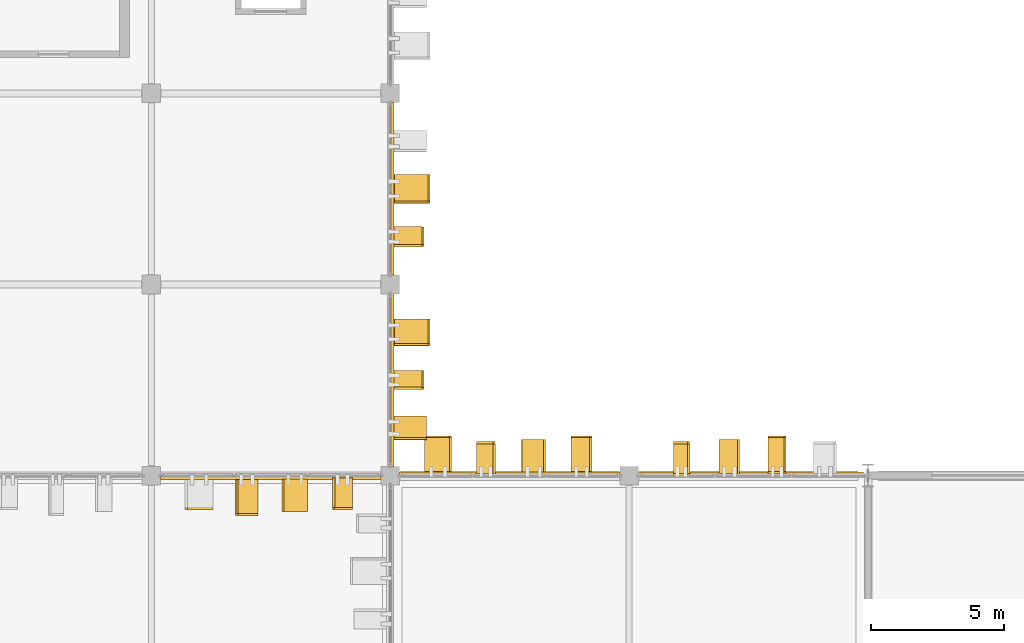
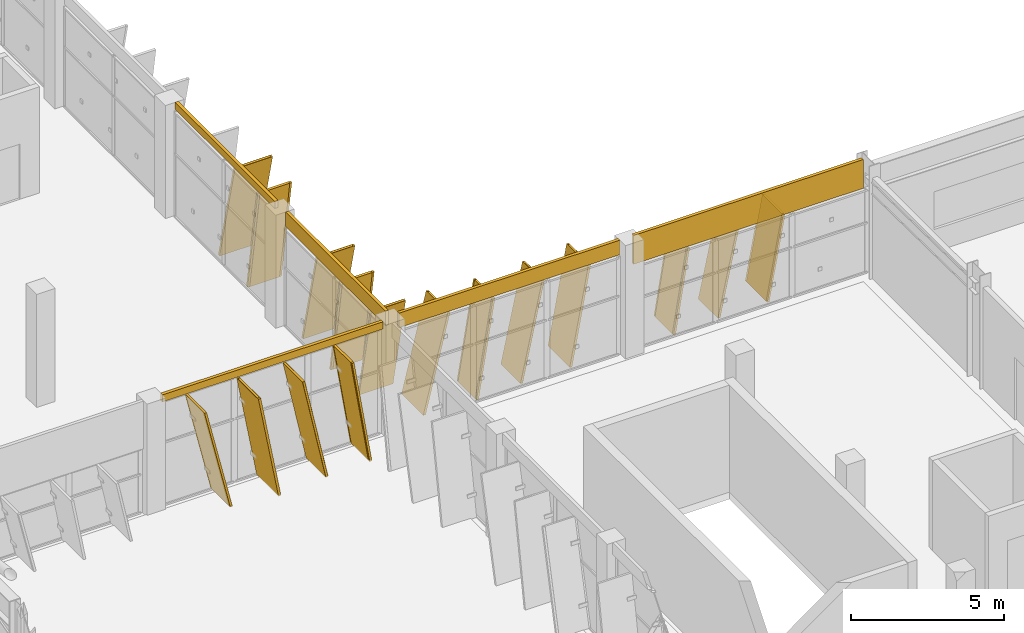
# One storey, part 134 of 151: 20 coverings, 16 shading devices.
"""IFC4 building model written with IfcOpenShell, lengths in metres."""

from ifc_helpers import new_model, si_unit, direction, frame, origin, origin_2d, place, context, subcontext, project, spatial, rectangle, extrude, material, layer, layer_set, material_profile, profile_set, type_object, element, save


model = new_model("IFC4")

# Units and contexts
model_context = context("Model", 3, precision=1e-05, world=origin(), true_north=direction((0.0, 1.0)))
body_context = subcontext(model_context, "Body", "Model", "MODEL_VIEW")
ifc_project = project(units=[si_unit("LENGTHUNIT", "METRE"), si_unit("AREAUNIT", "SQUARE_METRE"), si_unit("VOLUMEUNIT", "CUBIC_METRE"), si_unit("PLANEANGLEUNIT", "RADIAN"), si_unit("MASSUNIT", "GRAM", prefix="KILO")], contexts=[model_context])

# Site, building, storey
site_placement = place(None, origin())
site = spatial("IfcSite", under=ifc_project, at=site_placement, CompositionType="ELEMENT")
building_placement = place(site_placement, origin())
building = spatial("IfcBuilding", under=site, at=building_placement, Name="Celestram Park Convention Centre", CompositionType="ELEMENT")
storey_placement = place(building_placement, frame((0.0, 0.0, 10.800048828125)))
storey = spatial("IfcBuildingStorey", under=building, at=storey_placement, Name="L02", CompositionType="ELEMENT", Elevation=10.800048828125)

# Coverings
ifc_material_1 = material(Name="Anodised Bronze Aluminium Spandrel Cladding", Category="aluminium")
ifc_layer = layer(ifc_material_1, 0.050048828125)
ifc_layer_set = layer_set([ifc_layer], Name="Anodised Bronze Aluminium Spandrel Cladding")
covering_type_1 = type_object("IfcCoveringType", Name="ARC-COV-CLD060", PredefinedType="CLADDING", material=ifc_layer_set)
covering_1_placement = place(storey_placement, frame((148.5, 36.080078125, 3.923828125), z_axis=(0.0, 0.0, 1.0), x_axis=(1.0, 0.0, 0.0)))
element("IfcCovering", 1, at=covering_1_placement, inside=storey, type_object=covering_type_1, Name="Bronze spandrel cladding CL-L02-144", PredefinedType="CLADDING", context=body_context, shape_type="SweptSolid", body=[
    extrude(rectangle(XDim=8.303955078125, YDim=0.1201171875, at=origin_2d()), origin(), (0.0, 0.0, 1.0), 0.575927734375),
])
covering_2_placement = place(storey_placement, frame((157.5, 36.080078125, 3.35595703125), z_axis=(0.0, 0.0, 1.0), x_axis=(1.0, 0.0, 0.0)))
element("IfcCovering", 2, at=covering_2_placement, inside=storey, type_object=covering_type_1, Name="Bronze spandrel cladding CL-L02-145", PredefinedType="CLADDING", context=body_context, shape_type="SweptSolid", body=[
    extrude(rectangle(XDim=8.64501953125, YDim=0.1201171875, at=origin_2d()), origin(), (0.0, 0.0, 1.0), 1.14404296875),
])
covering_3_placement = place(storey_placement, frame((144.080078125, 46.800048828125, 4.2197265625), z_axis=(0.0, 0.0, 1.0), x_axis=(0.0, -1.0, 0.0)))
element("IfcCovering", 3, at=covering_3_placement, inside=storey, type_object=covering_type_1, Name="Bronze spandrel cladding CL-L02-191", PredefinedType="CLADDING", context=body_context, shape_type="SweptSolid", body=[
    extrude(rectangle(XDim=6.50390625, YDim=0.1201171875, at=origin_2d()), origin(), (0.0, 0.0, 1.0), 0.280029296875),
])
covering_4_placement = place(storey_placement, frame((144.080078125, 39.60009765625, 3.923828125), z_axis=(0.0, 0.0, 1.0), x_axis=(0.0, -1.0, 0.0)))
element("IfcCovering", 4, at=covering_4_placement, inside=storey, type_object=covering_type_1, Name="Bronze spandrel cladding CL-L02-192", PredefinedType="CLADDING", context=body_context, shape_type="SweptSolid", body=[
    extrude(rectangle(XDim=6.50390625, YDim=0.1201171875, at=origin_2d()), origin(), (0.0, 0.0, 1.0), 0.575927734375),
])
covering_5_placement = place(storey_placement, frame((139.5, 35.919921875, 4.2197265625), z_axis=(0.0, 0.0, 1.0), x_axis=(-1.0, 0.0, 0.0)))
element("IfcCovering", 5, at=covering_5_placement, inside=storey, type_object=covering_type_1, Name="Bronze spandrel cladding CL-L02-193", PredefinedType="CLADDING", context=body_context, shape_type="SweptSolid", body=[
    extrude(rectangle(XDim=8.303955078125, YDim=0.1201171875, at=origin_2d()), origin(), (0.0, 0.0, 1.0), 0.280029296875),
])
ifc_material_2 = material(Name="Timber-Toned Anodised Aluminium Alloy 6063-T6", Category="wood")
ifc_material_profile_1 = material_profile(ifc_material_2, rectangle(XDim=1.1201171875, YDim=0.090087890625, at=origin_2d()), Name="REED1120X90")
ifc_profile_set_1 = profile_set([ifc_material_profile_1], Name="Timber-Toned Anodised Aluminium Alloy 6063-T6")
covering_type_2 = type_object("IfcCoveringType", Name="ARC-COV-FIN1120", PredefinedType="CLADDING", material=ifc_profile_set_1)
covering_6_placement = place(storey_placement, frame((147.288818359375, 36.639892578125, 0.030029296875), z_axis=(0.159873029239, 0.0, 0.987137586419), x_axis=(0.0, 1.0, 0.0)))
element("IfcCovering", 6, at=covering_6_placement, inside=storey, type_object=covering_type_2, Name="Leaning timber-toned reed fin RFN-L02-0453", PredefinedType="CLADDING", context=body_context, shape_type="SweptSolid", body=[
    extrude(rectangle(XDim=1.1201171875, YDim=0.090087890625, at=origin_2d()), origin(), (0.0, 0.0, 1.0), 3.89404296875),
])
covering_7_placement = place(storey_placement, frame((154.70458984375, 36.639892578125, 0.0263671875), z_axis=(0.159873983247, 0.0, 0.987137431911), x_axis=(0.0, 1.0, 0.0)))
element("IfcCovering", 7, at=covering_7_placement, inside=storey, type_object=covering_type_2, Name="Leaning timber-toned reed fin RFN-L02-0456", PredefinedType="CLADDING", context=body_context, shape_type="SweptSolid", body=[
    extrude(rectangle(XDim=1.1201171875, YDim=0.090087890625, at=origin_2d()), origin(), (0.0, 0.0, 1.0), 3.325927734375),
])
covering_8_placement = place(storey_placement, frame((144.639892578125, 45.3349609375, 0.03173828125), z_axis=(0.0, -0.159880890304, 0.987136313239), x_axis=(1.0, 0.0, 0.0)))
element("IfcCovering", 8, at=covering_8_placement, inside=storey, type_object=covering_type_2, Name="Leaning timber-toned reed fin RFN-L02-0601", PredefinedType="CLADDING", context=body_context, shape_type="SweptSolid", body=[
    extrude(rectangle(XDim=1.1201171875, YDim=0.090087890625, at=origin_2d()), origin(), (0.0, 0.0, 1.0), 4.190185546875),
])
covering_9_placement = place(storey_placement, frame((144.639892578125, 39.911376953125, 0.030029296875), z_axis=(0.0, -0.159873029239, 0.987137586419), x_axis=(1.0, 0.0, 0.0)))
element("IfcCovering", 9, at=covering_9_placement, inside=storey, type_object=covering_type_2, Name="Leaning timber-toned reed fin RFN-L02-0603", PredefinedType="CLADDING", context=body_context, shape_type="SweptSolid", body=[
    extrude(rectangle(XDim=1.1201171875, YDim=0.090087890625, at=origin_2d()), origin(), (0.0, 0.0, 1.0), 3.89404296875),
])
covering_10_placement = place(storey_placement, frame((142.534912109375, 35.360107421875, 0.03173828125), z_axis=(-0.159880890304, 0.0, 0.987136313239), x_axis=(0.0, -1.0, 0.0)))
element("IfcCovering", 10, at=covering_10_placement, inside=storey, type_object=covering_type_2, Name="Leaning timber-toned reed fin RFN-L02-0605", PredefinedType="CLADDING", context=body_context, shape_type="SweptSolid", body=[
    extrude(rectangle(XDim=1.1201171875, YDim=0.090087890625, at=origin_2d()), origin(), (0.0, 0.0, 1.0), 4.190185546875),
])
ifc_material_profile_2 = material_profile(ifc_material_2, rectangle(XDim=1.280029296875, YDim=0.090087890625, at=origin_2d()), Name="REED1280X90")
ifc_profile_set_2 = profile_set([ifc_material_profile_2], Name="Timber-Toned Anodised Aluminium Alloy 6063-T6")
covering_type_3 = type_object("IfcCoveringType", Name="ARC-COV-FIN1280", PredefinedType="CLADDING", material=ifc_profile_set_2)
covering_11_placement = place(storey_placement, frame((148.991943359375, 36.719970703125, 0.04833984375), z_axis=(0.209601879855, 0.0, 0.977786813145), x_axis=(0.0, 1.0, 0.0)))
element("IfcCovering", 11, at=covering_11_placement, inside=storey, type_object=covering_type_3, Name="Leaning timber-toned reed fin RFN-L02-0454", PredefinedType="CLADDING", context=body_context, shape_type="SweptSolid", body=[
    extrude(rectangle(XDim=1.280029296875, YDim=0.090087890625, at=origin_2d()), origin(), (0.0, 0.0, 1.0), 3.893798828125),
])
covering_12_placement = place(storey_placement, frame((156.421875, 36.719970703125, 0.041748046875), z_axis=(0.209564178578, 0.0, 0.977794894166), x_axis=(0.0, 1.0, 0.0)))
element("IfcCovering", 12, at=covering_12_placement, inside=storey, type_object=covering_type_3, Name="Leaning timber-toned reed fin RFN-L02-0457", PredefinedType="CLADDING", context=body_context, shape_type="SweptSolid", body=[
    extrude(rectangle(XDim=1.280029296875, YDim=0.090087890625, at=origin_2d()), origin(), (0.0, 0.0, 1.0), 3.326171875),
])
covering_13_placement = place(storey_placement, frame((144.719970703125, 38.2080078125, 0.04833984375), z_axis=(0.0, -0.209601879855, 0.977786813145), x_axis=(1.0, 0.0, 0.0)))
element("IfcCovering", 13, at=covering_13_placement, inside=storey, type_object=covering_type_3, Name="Leaning timber-toned reed fin RFN-L02-0604", PredefinedType="CLADDING", context=body_context, shape_type="SweptSolid", body=[
    extrude(rectangle(XDim=1.280029296875, YDim=0.090087890625, at=origin_2d()), origin(), (0.0, 0.0, 1.0), 3.893798828125),
])
covering_14_placement = place(storey_placement, frame((140.839111328125, 35.280029296875, 0.051513671875), z_axis=(-0.209644484255, 0.0, 0.977777679343), x_axis=(0.0, -1.0, 0.0)))
element("IfcCovering", 14, at=covering_14_placement, inside=storey, type_object=covering_type_3, Name="Leaning timber-toned reed fin RFN-L02-0606", PredefinedType="CLADDING", context=body_context, shape_type="SweptSolid", body=[
    extrude(rectangle(XDim=1.280029296875, YDim=0.090087890625, at=origin_2d()), origin(), (0.0, 0.0, 1.0), 4.18994140625),
])
ifc_material_profile_3 = material_profile(ifc_material_2, rectangle(XDim=1.419921875, YDim=0.090087890625, at=origin_2d()), Name="REED1420X90")
ifc_profile_set_3 = profile_set([ifc_material_profile_3], Name="Timber-Toned Anodised Aluminium Alloy 6063-T6")
covering_type_4 = type_object("IfcCoveringType", Name="ARC-COV-FIN1420", PredefinedType="CLADDING", material=ifc_profile_set_3)
for number, where, z_axis, x_axis, name in (
    (15, (145.335693359375, 36.7900390625, 0.06103515625), (0.238491540505, 0.0, 0.971144574771), (0.0, 1.0, 0.0), "Leaning timber-toned reed fin RFN-L02-0452"),
    (16, (150.848388671875, 36.7900390625, 0.036865234375), (0.180562402366, 0.0, 0.983563530664), (0.0, 1.0, 0.0), "Leaning timber-toned reed fin RFN-L02-0455"),
):
    element("IfcCovering", number, at=place(storey_placement, frame(where, z_axis=z_axis, x_axis=x_axis)), inside=storey, type_object=covering_type_4, Name=name, PredefinedType="CLADDING", context=body_context, shape_type="SweptSolid", body=[
        extrude(rectangle(XDim=1.419921875, YDim=0.090087890625, at=origin_2d()), origin(), (0.0, 0.0, 1.0), 3.89404296875),
    ])
covering_15_placement = place(storey_placement, frame((158.270263671875, 36.7900390625, 0.0322265625), z_axis=(0.18049356641, 0.0, 0.983576165065), x_axis=(0.0, 1.0, 0.0)))
element("IfcCovering", 17, at=covering_15_placement, inside=storey, type_object=covering_type_4, Name="Leaning timber-toned reed fin RFN-L02-0458", PredefinedType="CLADDING", context=body_context, shape_type="SweptSolid", body=[
    extrude(rectangle(XDim=1.419921875, YDim=0.090087890625, at=origin_2d()), origin(), (0.0, 0.0, 1.0), 3.326171875),
])
covering_16_placement = place(storey_placement, frame((144.7900390625, 47.2998046875, 0.0654296875), z_axis=(0.0, -0.238544016547, 0.971131686317), x_axis=(1.0, 0.0, 0.0)))
element("IfcCovering", 18, at=covering_16_placement, inside=storey, type_object=covering_type_4, Name="Leaning timber-toned reed fin RFN-L02-0600", PredefinedType="CLADDING", context=body_context, shape_type="SweptSolid", body=[
    extrude(rectangle(XDim=1.419921875, YDim=0.090087890625, at=origin_2d()), origin(), (0.0, 0.0, 1.0), 4.18994140625),
])
covering_17_placement = place(storey_placement, frame((144.7900390625, 41.864501953125, 0.06103515625), z_axis=(0.0, -0.23855066814, 0.971130052429), x_axis=(1.0, 0.0, 0.0)))
element("IfcCovering", 19, at=covering_17_placement, inside=storey, type_object=covering_type_4, Name="Leaning timber-toned reed fin RFN-L02-0602", PredefinedType="CLADDING", context=body_context, shape_type="SweptSolid", body=[
    extrude(rectangle(XDim=1.419921875, YDim=0.090087890625, at=origin_2d()), origin(), (0.0, 0.0, 1.0), 3.89404296875),
])
covering_18_placement = place(storey_placement, frame((138.978271484375, 35.2099609375, 0.039306640625), z_axis=(-0.180561798763, 0.0, 0.983563641473), x_axis=(0.0, -1.0, 0.0)))
element("IfcCovering", 20, at=covering_18_placement, inside=storey, type_object=covering_type_4, Name="Leaning timber-toned reed fin RFN-L02-0607", PredefinedType="CLADDING", context=body_context, shape_type="SweptSolid", body=[
    extrude(rectangle(XDim=1.419921875, YDim=0.090087890625, at=origin_2d()), origin(), (0.0, 0.0, 1.0), 4.190185546875),
])

# Shading devices
ifc_material_3 = material(Name="Anodised Bronze Aluminium Alloy 6063-T6", Category="aluminium")
ifc_material_profile_4 = material_profile(ifc_material_3, rectangle(XDim=1.280029296875, YDim=0.080078125, at=origin_2d()), Name="FIN1280X80")
ifc_profile_set_4 = profile_set([ifc_material_profile_4], Name="Anodised Bronze Aluminium Alloy 6063-T6")
shading_device_type = type_object("IfcShadingDeviceType", Name="ARC-FIN-BZ1280", PredefinedType="USERDEFINED", material=ifc_profile_set_4)
for number, where, z_axis, x_axis, name in (
    (21, (145.335693359375, 36.7900390625, 0.06103515625), (0.238491540505, 0.0, 0.971144574771), (0.0, 1.0, 0.0), "Expressive solar fin FN-L02-0452"),
    (22, (147.288818359375, 36.639892578125, 0.030029296875), (0.159873029239, 0.0, 0.987137586419), (0.0, 1.0, 0.0), "Expressive solar fin FN-L02-0453"),
):
    element("IfcShadingDevice", number, at=place(storey_placement, frame(where, z_axis=z_axis, x_axis=x_axis)), inside=storey, type_object=shading_device_type, Name=name, ObjectType="SOLAR_FIN", PredefinedType="USERDEFINED", context=body_context, shape_type="SweptSolid", body=[
        extrude(rectangle(XDim=1.280029296875, YDim=0.080078125, at=origin_2d()), origin(), (0.0, 0.0, 1.0), 3.89404296875),
    ])
shading_device_1_placement = place(storey_placement, frame((148.991943359375, 36.719970703125, 0.04833984375), z_axis=(0.209601879855, 0.0, 0.977786813145), x_axis=(0.0, 1.0, 0.0)))
element("IfcShadingDevice", 23, at=shading_device_1_placement, inside=storey, type_object=shading_device_type, Name="Expressive solar fin FN-L02-0454", ObjectType="SOLAR_FIN", PredefinedType="USERDEFINED", context=body_context, shape_type="SweptSolid", body=[
    extrude(rectangle(XDim=1.280029296875, YDim=0.080078125, at=origin_2d()), origin(), (0.0, 0.0, 1.0), 3.893798828125),
])
shading_device_2_placement = place(storey_placement, frame((150.848388671875, 36.7900390625, 0.036865234375), z_axis=(0.180562402366, 0.0, 0.983563530664), x_axis=(0.0, 1.0, 0.0)))
element("IfcShadingDevice", 24, at=shading_device_2_placement, inside=storey, type_object=shading_device_type, Name="Expressive solar fin FN-L02-0455", ObjectType="SOLAR_FIN", PredefinedType="USERDEFINED", context=body_context, shape_type="SweptSolid", body=[
    extrude(rectangle(XDim=1.280029296875, YDim=0.080078125, at=origin_2d()), origin(), (0.0, 0.0, 1.0), 3.89404296875),
])
shading_device_3_placement = place(storey_placement, frame((154.70458984375, 36.639892578125, 0.0263671875), z_axis=(0.159873983247, 0.0, 0.987137431911), x_axis=(0.0, 1.0, 0.0)))
element("IfcShadingDevice", 25, at=shading_device_3_placement, inside=storey, type_object=shading_device_type, Name="Expressive solar fin FN-L02-0456", ObjectType="SOLAR_FIN", PredefinedType="USERDEFINED", context=body_context, shape_type="SweptSolid", body=[
    extrude(rectangle(XDim=1.280029296875, YDim=0.080078125, at=origin_2d()), origin(), (0.0, 0.0, 1.0), 3.325927734375),
])
for number, where, z_axis, x_axis, name in (
    (26, (156.421875, 36.719970703125, 0.041748046875), (0.209564178578, 0.0, 0.977794894166), (0.0, 1.0, 0.0), "Expressive solar fin FN-L02-0457"),
    (27, (158.270263671875, 36.7900390625, 0.0322265625), (0.18049356641, 0.0, 0.983576165065), (0.0, 1.0, 0.0), "Expressive solar fin FN-L02-0458"),
):
    element("IfcShadingDevice", number, at=place(storey_placement, frame(where, z_axis=z_axis, x_axis=x_axis)), inside=storey, type_object=shading_device_type, Name=name, ObjectType="SOLAR_FIN", PredefinedType="USERDEFINED", context=body_context, shape_type="SweptSolid", body=[
        extrude(rectangle(XDim=1.280029296875, YDim=0.080078125, at=origin_2d()), origin(), (0.0, 0.0, 1.0), 3.326171875),
    ])
shading_device_4_placement = place(storey_placement, frame((144.7900390625, 47.2998046875, 0.0654296875), z_axis=(0.0, -0.238544016547, 0.971131686317), x_axis=(1.0, 0.0, 0.0)))
element("IfcShadingDevice", 28, at=shading_device_4_placement, inside=storey, type_object=shading_device_type, Name="Expressive solar fin FN-L02-0600", ObjectType="SOLAR_FIN", PredefinedType="USERDEFINED", context=body_context, shape_type="SweptSolid", body=[
    extrude(rectangle(XDim=1.280029296875, YDim=0.080078125, at=origin_2d()), origin(), (0.0, 0.0, 1.0), 4.18994140625),
])
shading_device_5_placement = place(storey_placement, frame((144.639892578125, 45.3349609375, 0.03173828125), z_axis=(0.0, -0.159880890304, 0.987136313239), x_axis=(1.0, 0.0, 0.0)))
element("IfcShadingDevice", 29, at=shading_device_5_placement, inside=storey, type_object=shading_device_type, Name="Expressive solar fin FN-L02-0601", ObjectType="SOLAR_FIN", PredefinedType="USERDEFINED", context=body_context, shape_type="SweptSolid", body=[
    extrude(rectangle(XDim=1.280029296875, YDim=0.080078125, at=origin_2d()), origin(), (0.0, 0.0, 1.0), 4.190185546875),
])
for number, where, z_axis, x_axis, name in (
    (30, (144.7900390625, 41.864501953125, 0.06103515625), (0.0, -0.23855066814, 0.971130052429), (1.0, 0.0, 0.0), "Expressive solar fin FN-L02-0602"),
    (31, (144.639892578125, 39.911376953125, 0.030029296875), (0.0, -0.159873029239, 0.987137586419), (1.0, 0.0, 0.0), "Expressive solar fin FN-L02-0603"),
):
    element("IfcShadingDevice", number, at=place(storey_placement, frame(where, z_axis=z_axis, x_axis=x_axis)), inside=storey, type_object=shading_device_type, Name=name, ObjectType="SOLAR_FIN", PredefinedType="USERDEFINED", context=body_context, shape_type="SweptSolid", body=[
        extrude(rectangle(XDim=1.280029296875, YDim=0.080078125, at=origin_2d()), origin(), (0.0, 0.0, 1.0), 3.89404296875),
    ])
shading_device_6_placement = place(storey_placement, frame((144.719970703125, 38.2080078125, 0.04833984375), z_axis=(0.0, -0.209601879855, 0.977786813145), x_axis=(1.0, 0.0, 0.0)))
element("IfcShadingDevice", 32, at=shading_device_6_placement, inside=storey, type_object=shading_device_type, Name="Expressive solar fin FN-L02-0604", ObjectType="SOLAR_FIN", PredefinedType="USERDEFINED", context=body_context, shape_type="SweptSolid", body=[
    extrude(rectangle(XDim=1.280029296875, YDim=0.080078125, at=origin_2d()), origin(), (0.0, 0.0, 1.0), 3.893798828125),
])
shading_device_7_placement = place(storey_placement, frame((142.534912109375, 35.360107421875, 0.03173828125), z_axis=(-0.159880890304, 0.0, 0.987136313239), x_axis=(0.0, -1.0, 0.0)))
element("IfcShadingDevice", 33, at=shading_device_7_placement, inside=storey, type_object=shading_device_type, Name="Expressive solar fin FN-L02-0605", ObjectType="SOLAR_FIN", PredefinedType="USERDEFINED", context=body_context, shape_type="SweptSolid", body=[
    extrude(rectangle(XDim=1.280029296875, YDim=0.080078125, at=origin_2d()), origin(), (0.0, 0.0, 1.0), 4.190185546875),
])
shading_device_8_placement = place(storey_placement, frame((140.839111328125, 35.280029296875, 0.051513671875), z_axis=(-0.209644484255, 0.0, 0.977777679343), x_axis=(0.0, -1.0, 0.0)))
element("IfcShadingDevice", 34, at=shading_device_8_placement, inside=storey, type_object=shading_device_type, Name="Expressive solar fin FN-L02-0606", ObjectType="SOLAR_FIN", PredefinedType="USERDEFINED", context=body_context, shape_type="SweptSolid", body=[
    extrude(rectangle(XDim=1.280029296875, YDim=0.080078125, at=origin_2d()), origin(), (0.0, 0.0, 1.0), 4.18994140625),
])
shading_device_9_placement = place(storey_placement, frame((138.978271484375, 35.2099609375, 0.039306640625), z_axis=(-0.180561798763, 0.0, 0.983563641473), x_axis=(0.0, -1.0, 0.0)))
element("IfcShadingDevice", 35, at=shading_device_9_placement, inside=storey, type_object=shading_device_type, Name="Expressive solar fin FN-L02-0607", ObjectType="SOLAR_FIN", PredefinedType="USERDEFINED", context=body_context, shape_type="SweptSolid", body=[
    extrude(rectangle(XDim=1.280029296875, YDim=0.080078125, at=origin_2d()), origin(), (0.0, 0.0, 1.0), 4.190185546875),
])
shading_device_10_placement = place(storey_placement, frame((137.285400390625, 35.360107421875, 0.06201171875), z_axis=(-0.231730809398, 0.0, 0.972779950439), x_axis=(0.0, -1.0, 0.0)))
element("IfcShadingDevice", 36, at=shading_device_10_placement, inside=storey, type_object=shading_device_type, Name="Expressive solar fin FN-L02-0608", ObjectType="SOLAR_FIN", PredefinedType="USERDEFINED", context=body_context, shape_type="SweptSolid", body=[
    extrude(rectangle(XDim=1.280029296875, YDim=0.080078125, at=origin_2d()), origin(), (0.0, 0.0, 1.0), 4.18994140625),
])

save(model, "model.ifc")
